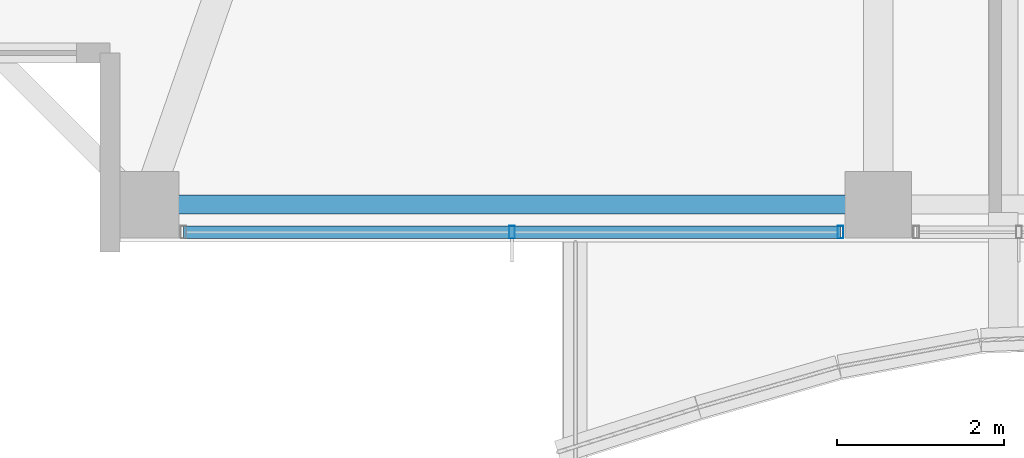
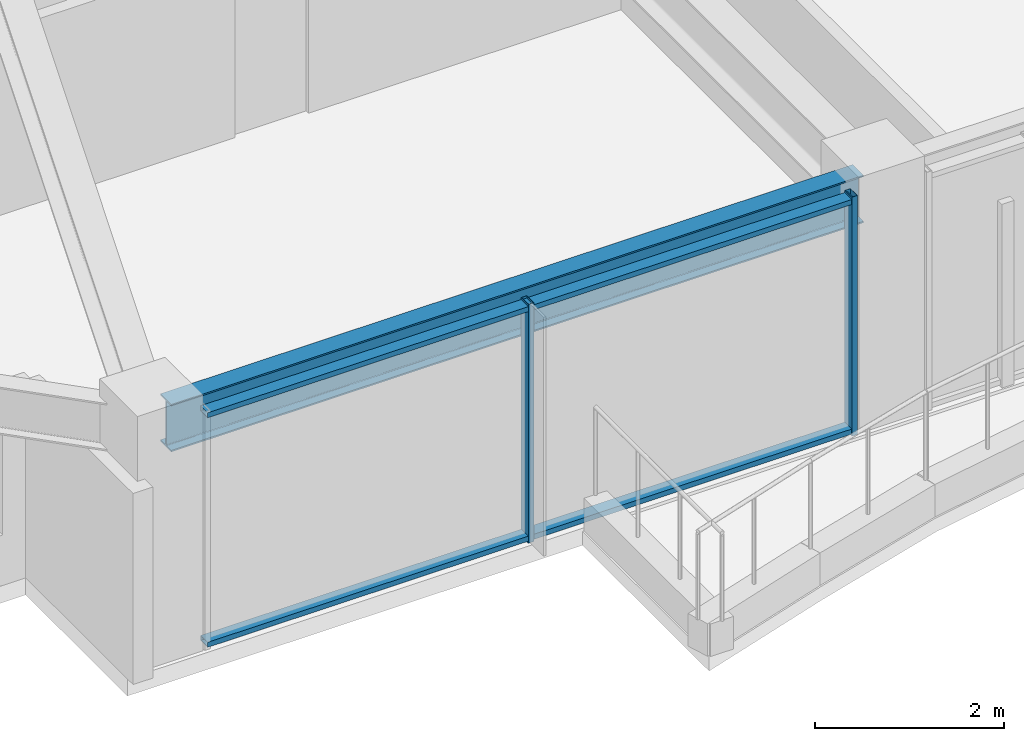
# One storey, part 3 of 36: 4 members, 1 beam, 1 element without a shape of its own.
"""IFC4 building model written with IfcOpenShell, lengths in metres."""

from ifc_helpers import new_model, si_unit, direction, frame, origin, origin_2d, place, context, subcontext, project, spatial, hollow_rectangle, i_section, extrude, material, material_profile, profile_set, type_object, element, aggregate, save


model = new_model("IFC4")

# Units and contexts
model_context = context("Model", 3, precision=1e-05, world=origin(), true_north=direction((0.0, 1.0)))
body_context = subcontext(model_context, "Body", "Model", "MODEL_VIEW")
ifc_project = project(units=[si_unit("LENGTHUNIT", "METRE"), si_unit("AREAUNIT", "SQUARE_METRE"), si_unit("VOLUMEUNIT", "CUBIC_METRE"), si_unit("PLANEANGLEUNIT", "RADIAN"), si_unit("MASSUNIT", "GRAM", prefix="KILO")], contexts=[model_context])

# Site, building, storey
site_placement = place(None, origin())
site = spatial("IfcSite", under=ifc_project, at=site_placement, CompositionType="ELEMENT")
building_placement = place(site_placement, origin())
building = spatial("IfcBuilding", under=site, at=building_placement, Name="Kolvaren Belvedere", CompositionType="ELEMENT")
storey_placement = place(building_placement, frame((0.0, 0.0, 196.5)))
storey = spatial("IfcBuildingStorey", under=building, at=storey_placement, Name="L57", CompositionType="ELEMENT", Elevation=196.5)

# Beam
ifc_material_1 = material(Name="Structural steel ASTM A992 Grade 50", Category="steel")
ifc_material_profile_1 = material_profile(ifc_material_1, i_section(OverallWidth=0.22900390625, OverallDepth=0.612060546875, WebThickness=0.011962890625, FlangeThickness=0.01953125, FilletRadius=0.01806640625, at=origin_2d()), Name="W24X84")
ifc_profile_set_1 = profile_set([ifc_material_profile_1], Name="Structural steel ASTM A992 Grade 50")
beam_type = type_object("IfcBeamType", Name="BM-SPAN-W24X84", PredefinedType="SPANDREL", material=ifc_profile_set_1)
beam_placement = place(storey_placement, frame((-13.219970703125, -19.949951171875, 2.77392578125), z_axis=(1.0, 0.0, 0.0), x_axis=(0.0, 1.0, 0.0)))
element("IfcBeam", 1, at=beam_placement, inside=storey, type_object=beam_type, Name="L57 Perimeter Spandrel S1-S2", PredefinedType="SPANDREL", context=body_context, shape_type="SweptSolid", body=[
    extrude(i_section(OverallWidth=0.22900390625, OverallDepth=0.612060546875, WebThickness=0.011962890625, FlangeThickness=0.01953125, FilletRadius=0.01806640625, at=origin_2d()), origin(), (0.0, 0.0, 1.0), 8.43994140625),
])

# Curtain wall, members
ifc_material_2 = material(Name="Anodised pale-metal aluminium AA 6063-T6", Category="aluminium")
curtain_wall_type = type_object("IfcCurtainWallType", Name="CW-Z5-HIGH", PredefinedType="NOTDEFINED", material=ifc_material_2)
curtain_wall_placement = place(storey_placement, origin())
curtain_wall = element("IfcCurtainWall", 2, at=curtain_wall_placement, inside=storey, type_object=curtain_wall_type, Name="L57 Unitised Curtain Wall FCW-L57-S2-B2", PredefinedType="NOTDEFINED")
ifc_material_3 = material(Name="Anodised pale-metal aluminium AA 6063-T6", Category="aluminium")
ifc_material_profile_2 = material_profile(ifc_material_3, hollow_rectangle(XDim=0.070068359375, YDim=0.14990234375, WallThickness=0.004150390625, at=origin_2d()), Name="ALU-MUL-150X70")
ifc_profile_set_2 = profile_set([ifc_material_profile_2], Name="Anodised pale-metal aluminium AA 6063-T6")
member_type_1 = type_object("IfcMemberType", Name="CW-MUL-150", PredefinedType="MULLION", material=ifc_profile_set_2)
member_1_placement = place(storey_placement, frame((-5.054931640625, -20.280029296875, 0.0), z_axis=(0.0, 0.0, 1.0), x_axis=(1.0, 0.0, 0.0)))
member_1 = element("IfcMember", 3, at=member_1_placement, type_object=member_type_1, Name="FCW-L57-S2-B2 Unitised Mullion 1", PredefinedType="MULLION", context=body_context, shape_type="SweptSolid", body=[
    extrude(hollow_rectangle(XDim=0.070068359375, YDim=0.14990234375, WallThickness=0.004150390625, at=origin_2d()), origin(), (0.0, 0.0, 1.0), 3.080078125),
])
member_2_placement = place(storey_placement, frame((-9.0, -20.280029296875, 0.0), z_axis=(0.0, 0.0, 1.0), x_axis=(1.0, 0.0, 0.0)))
member_2 = element("IfcMember", 4, at=member_2_placement, type_object=member_type_1, Name="FCW-L57-S2-B2 Unitised Mullion 2", PredefinedType="MULLION", context=body_context, shape_type="SweptSolid", body=[
    extrude(hollow_rectangle(XDim=0.070068359375, YDim=0.14990234375, WallThickness=0.004150390625, at=origin_2d()), origin(), (0.0, 0.0, 1.0), 3.080078125),
])
ifc_material_4 = material(Name="Anodised pale-metal aluminium AA 6063-T6", Category="aluminium")
ifc_material_profile_3 = material_profile(ifc_material_4, hollow_rectangle(XDim=0.06494140625, YDim=0.14990234375, WallThickness=0.00390625, at=origin_2d()), Name="ALU-TRN-150X65")
ifc_profile_set_3 = profile_set([ifc_material_profile_3], Name="Anodised pale-metal aluminium AA 6063-T6")
member_type_2 = type_object("IfcMemberType", Name="CW-TRN-150", PredefinedType="USERDEFINED", material=ifc_profile_set_3)
member_3_placement = place(storey_placement, frame((-5.054931640625, -20.280029296875, 0.06005859375), z_axis=(-1.0, 0.0, 0.0), x_axis=(0.0, 0.0, 1.0)))
member_3 = element("IfcMember", 5, at=member_3_placement, type_object=member_type_2, Name="FCW-L57-S2-B2 Sill Transom", ObjectType="TRANSOM", PredefinedType="USERDEFINED", context=body_context, shape_type="SweptSolid", body=[
    extrude(hollow_rectangle(XDim=0.06494140625, YDim=0.14990234375, WallThickness=0.00390625, at=origin_2d()), origin(), (0.0, 0.0, 1.0), 7.89013671875),
])
member_4_placement = place(storey_placement, frame((-5.054931640625, -20.280029296875, 3.02001953125), z_axis=(-1.0, 0.0, 0.0), x_axis=(0.0, 0.0, 1.0)))
member_4 = element("IfcMember", 6, at=member_4_placement, type_object=member_type_2, Name="FCW-L57-S2-B2 Head Transom", ObjectType="TRANSOM", PredefinedType="USERDEFINED", context=body_context, shape_type="SweptSolid", body=[
    extrude(hollow_rectangle(XDim=0.06494140625, YDim=0.14990234375, WallThickness=0.00390625, at=origin_2d()), origin(), (0.0, 0.0, 1.0), 7.89013671875),
])
aggregate(curtain_wall, [member_1, member_2, member_3, member_4])

save(model, "model.ifc")
